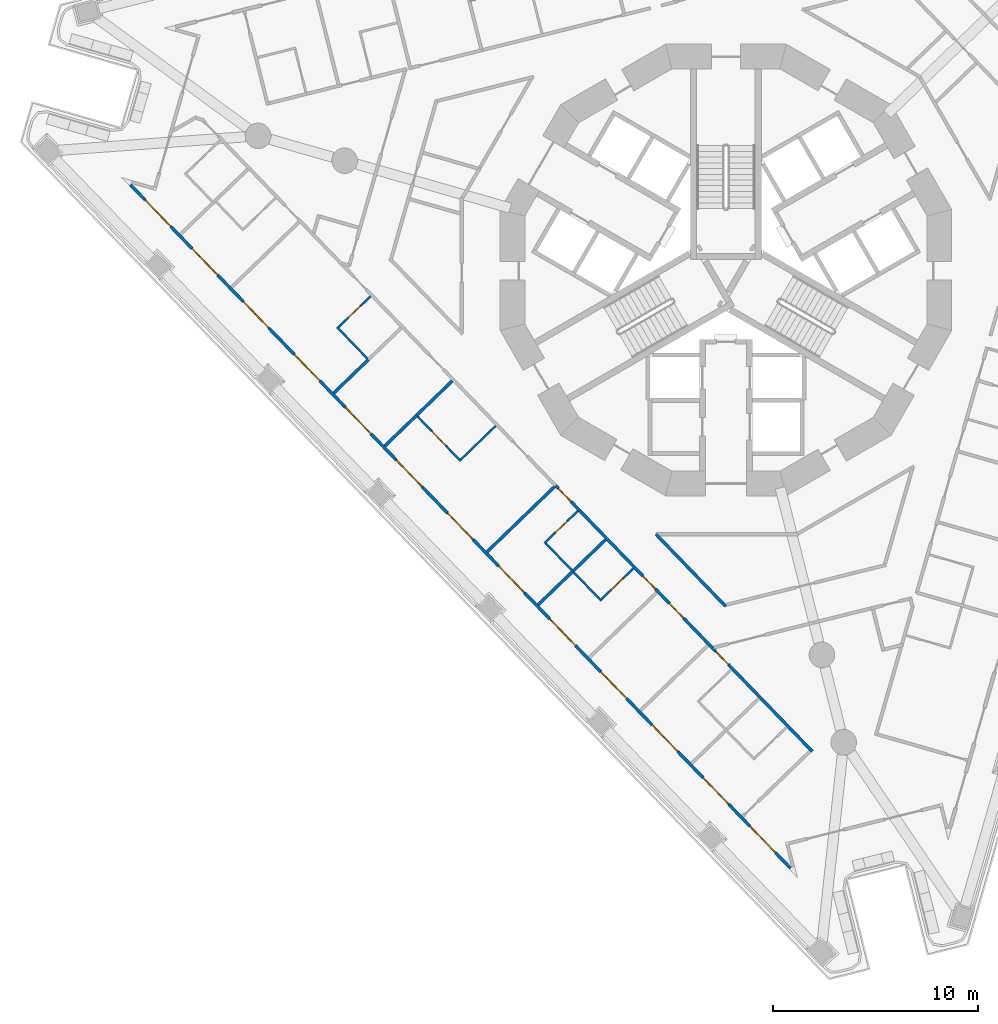
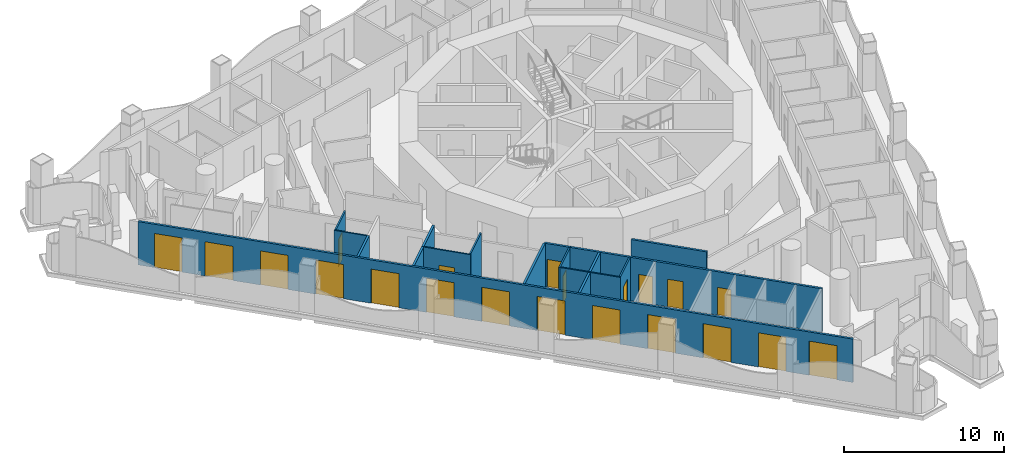
# One storey, part 2 of 19: 21 doors, 17 walls, 21 openings.
"""IFC4 building model written with IfcOpenShell, lengths in metres."""

from ifc_helpers import new_model, si_unit, direction, frame, frame_2d, origin, place, context, subcontext, project, spatial, polyline, rectangle, outline, extrude, material, layer, layer_set, type_object, element, fill, save


model = new_model("IFC4")

# Units and contexts
model_context = context("Model", 3, precision=1e-05, world=origin(), true_north=direction((0.0, 1.0)))
body_context = subcontext(model_context, "Body", "Model", "MODEL_VIEW")
ifc_project = project(units=[si_unit("LENGTHUNIT", "METRE"), si_unit("AREAUNIT", "SQUARE_METRE"), si_unit("VOLUMEUNIT", "CUBIC_METRE"), si_unit("PLANEANGLEUNIT", "RADIAN"), si_unit("MASSUNIT", "GRAM", prefix="KILO")], contexts=[model_context])

# Site, building, storey
site_placement = place(None, origin())
site = spatial("IfcSite", under=ifc_project, at=site_placement, CompositionType="ELEMENT")
building_placement = place(site_placement, origin())
building = spatial("IfcBuilding", under=site, at=building_placement, Name="Trine Commons Tower", CompositionType="ELEMENT")
storey_placement = place(building_placement, frame((0.0, 0.0, 105.300048828125)))
storey = spatial("IfcBuildingStorey", under=building, at=storey_placement, Name="L26", CompositionType="ELEMENT", Elevation=105.300048828125)

# Wall, openings, doors
ifc_material_1 = material(Name="Aluminium-framed insulated wall panel", Category="aluminium")
ifc_layer_1 = layer(ifc_material_1, 0.14990234375)
ifc_layer_set_1 = layer_set([ifc_layer_1], Name="Aluminium-framed insulated wall panel")
wall_type_1 = type_object("IfcWallType", Name="Glazed frame wall 150, EI 60", PredefinedType="SOLIDWALL", material=ifc_layer_set_1)
wall_1_placement = place(storey_placement, frame((83.25048828125, 33.21630859375, 0.0), z_axis=(0.0, 0.0, 1.0), x_axis=(-0.69466017463, 0.719338058067, 0.0)))
wall_1 = element("IfcWall", 1, at=wall_1_placement, inside=storey, type_object=wall_type_1, Name="Glazed frame wall F3", PredefinedType="SOLIDWALL", context=body_context, shape_type="SweptSolid", body=[
    extrude(outline(polyline([(0.1494140625, 0.074951171875), (0.1494140625, -0.074951171875), (46.496826171875, -0.074951171875), (46.496826171875, 0.074951171875), (0.1494140625, 0.074951171875)])), origin(), (0.0, 0.0, 1.0), 3.300048828125),
])
opening_1_placement = place(wall_1_placement, frame((1.194091796875, 0.0, 0.0)))
opening_1 = element("IfcOpeningElement", 2, at=opening_1_placement, cuts=wall_1, Name="Opening BD-3F3-01", PredefinedType="OPENING", context=body_context, shape_type="SweptSolid", body=[
    extrude(rectangle(XDim=1.800048828125, YDim=2.60009765625, at=frame_2d((0.89990234375, 1.300048828125))), frame((0.0, 0.0849609375, 0.0), z_axis=(0.0, -1.0, 0.0), x_axis=(1.0, 0.0, 0.0)), (0.0, 0.0, 1.0), 0.169921875),
])
opening_2_placement = place(wall_1_placement, frame((4.482421875, 0.0, 0.0)))
opening_2 = element("IfcOpeningElement", 3, at=opening_2_placement, cuts=wall_1, Name="Opening BD-3F3-02", PredefinedType="OPENING", context=body_context, shape_type="SweptSolid", body=[
    extrude(rectangle(XDim=1.800048828125, YDim=2.60009765625, at=frame_2d((0.89990234375, 1.300048828125))), frame((0.0, 0.0849609375, 0.0), z_axis=(0.0, -1.0, 0.0), x_axis=(1.0, 0.0, 0.0)), (0.0, 0.0, 1.0), 0.169921875),
])
opening_3_placement = place(wall_1_placement, frame((8.070556640625, 0.0, 0.0)))
opening_3 = element("IfcOpeningElement", 4, at=opening_3_placement, cuts=wall_1, Name="Opening BD-3F3-03", PredefinedType="OPENING", context=body_context, shape_type="SweptSolid", body=[
    extrude(rectangle(XDim=1.800048828125, YDim=2.60009765625, at=frame_2d((0.89990234375, 1.300048828125))), frame((0.0, 0.0849609375, 0.0), z_axis=(0.0, -1.0, 0.0), x_axis=(1.0, 0.0, 0.0)), (0.0, 0.0, 1.0), 0.169921875),
])
opening_4_placement = place(wall_1_placement, frame((11.65869140625, 0.0, 0.0)))
opening_4 = element("IfcOpeningElement", 5, at=opening_4_placement, cuts=wall_1, Name="Opening BD-3F3-04", PredefinedType="OPENING", context=body_context, shape_type="SweptSolid", body=[
    extrude(rectangle(XDim=1.800048828125, YDim=2.60009765625, at=frame_2d((0.89990234375, 1.300048828125))), frame((0.0, 0.0849609375, 0.0), z_axis=(0.0, -1.0, 0.0), x_axis=(1.0, 0.0, 0.0)), (0.0, 0.0, 1.0), 0.169921875),
])
opening_5_placement = place(wall_1_placement, frame((15.246826171875, 0.0, 0.0)))
opening_5 = element("IfcOpeningElement", 6, at=opening_5_placement, cuts=wall_1, Name="Opening BD-3F3-05", PredefinedType="OPENING", context=body_context, shape_type="SweptSolid", body=[
    extrude(rectangle(XDim=1.800048828125, YDim=2.60009765625, at=frame_2d((0.89990234375, 1.300048828125))), frame((0.0, 0.0849609375, 0.0), z_axis=(0.0, -1.0, 0.0), x_axis=(1.0, 0.0, 0.0)), (0.0, 0.0, 1.0), 0.169921875),
])
opening_6_placement = place(wall_1_placement, frame((18.835205078125, 0.0, 0.0)))
opening_6 = element("IfcOpeningElement", 7, at=opening_6_placement, cuts=wall_1, Name="Opening BD-3F3-06", PredefinedType="OPENING", context=body_context, shape_type="SweptSolid", body=[
    extrude(rectangle(XDim=1.800048828125, YDim=2.60009765625, at=frame_2d((0.89990234375, 1.300048828125))), frame((0.0, 0.0849609375, 0.0), z_axis=(0.0, -1.0, 0.0), x_axis=(1.0, 0.0, 0.0)), (0.0, 0.0, 1.0), 0.169921875),
])
opening_7_placement = place(wall_1_placement, frame((22.42333984375, 0.0, 0.0)))
opening_7 = element("IfcOpeningElement", 8, at=opening_7_placement, cuts=wall_1, Name="Opening BD-3F3-07", PredefinedType="OPENING", context=body_context, shape_type="SweptSolid", body=[
    extrude(rectangle(XDim=1.800048828125, YDim=2.60009765625, at=frame_2d((0.89990234375, 1.300048828125))), frame((0.0, 0.0849609375, 0.0), z_axis=(0.0, -1.0, 0.0), x_axis=(1.0, 0.0, 0.0)), (0.0, 0.0, 1.0), 0.169921875),
])
opening_8_placement = place(wall_1_placement, frame((26.011474609375, 0.0, 0.0)))
opening_8 = element("IfcOpeningElement", 9, at=opening_8_placement, cuts=wall_1, Name="Opening BD-3F3-08", PredefinedType="OPENING", context=body_context, shape_type="SweptSolid", body=[
    extrude(rectangle(XDim=1.800048828125, YDim=2.60009765625, at=frame_2d((0.89990234375, 1.300048828125))), frame((0.0, 0.0849609375, 0.0), z_axis=(0.0, -1.0, 0.0), x_axis=(1.0, 0.0, 0.0)), (0.0, 0.0, 1.0), 0.169921875),
])
opening_9_placement = place(wall_1_placement, frame((29.599609375, 0.0, 0.0)))
opening_9 = element("IfcOpeningElement", 10, at=opening_9_placement, cuts=wall_1, Name="Opening BD-3F3-09", PredefinedType="OPENING", context=body_context, shape_type="SweptSolid", body=[
    extrude(rectangle(XDim=1.800048828125, YDim=2.60009765625, at=frame_2d((0.89990234375, 1.300048828125))), frame((0.0, 0.0849609375, 0.0), z_axis=(0.0, -1.0, 0.0), x_axis=(1.0, 0.0, 0.0)), (0.0, 0.0, 1.0), 0.169921875),
])
opening_10_placement = place(wall_1_placement, frame((33.18798828125, 0.0, 0.0)))
opening_10 = element("IfcOpeningElement", 11, at=opening_10_placement, cuts=wall_1, Name="Opening BD-3F3-10", PredefinedType="OPENING", context=body_context, shape_type="SweptSolid", body=[
    extrude(rectangle(XDim=1.800048828125, YDim=2.60009765625, at=frame_2d((0.89990234375, 1.300048828125))), frame((0.0, 0.0849609375, 0.0), z_axis=(0.0, -1.0, 0.0), x_axis=(1.0, 0.0, 0.0)), (0.0, 0.0, 1.0), 0.169921875),
])
opening_11_placement = place(wall_1_placement, frame((36.776123046875, 0.0, 0.0)))
opening_11 = element("IfcOpeningElement", 12, at=opening_11_placement, cuts=wall_1, Name="Opening BD-3F3-11", PredefinedType="OPENING", context=body_context, shape_type="SweptSolid", body=[
    extrude(rectangle(XDim=1.800048828125, YDim=2.60009765625, at=frame_2d((0.89990234375, 1.300048828125))), frame((0.0, 0.0849609375, 0.0), z_axis=(0.0, -1.0, 0.0), x_axis=(1.0, 0.0, 0.0)), (0.0, 0.0, 1.0), 0.169921875),
])
opening_12_placement = place(wall_1_placement, frame((40.3642578125, 0.0, 0.0)))
opening_12 = element("IfcOpeningElement", 13, at=opening_12_placement, cuts=wall_1, Name="Opening BD-3F3-12", PredefinedType="OPENING", context=body_context, shape_type="SweptSolid", body=[
    extrude(rectangle(XDim=1.800048828125, YDim=2.60009765625, at=frame_2d((0.89990234375, 1.300048828125))), frame((0.0, 0.0849609375, 0.0), z_axis=(0.0, -1.0, 0.0), x_axis=(1.0, 0.0, 0.0)), (0.0, 0.0, 1.0), 0.169921875),
])
opening_13_placement = place(wall_1_placement, frame((43.652587890625, 0.0, 0.0)))
opening_13 = element("IfcOpeningElement", 14, at=opening_13_placement, cuts=wall_1, Name="Opening BD-3F3-13", PredefinedType="OPENING", context=body_context, shape_type="SweptSolid", body=[
    extrude(rectangle(XDim=1.800048828125, YDim=2.60009765625, at=frame_2d((0.89990234375, 1.300048828125))), frame((0.0, 0.0849609375, 0.0), z_axis=(0.0, -1.0, 0.0), x_axis=(1.0, 0.0, 0.0)), (0.0, 0.0, 1.0), 0.169921875),
])
ifc_material_2 = material(Name="Anodised aluminium frame with double glazing", Category="aluminium")
door_type_1 = type_object("IfcDoorType", Name="Sliding loggia door 1800x2600", OperationType="SLIDING_TO_LEFT", PredefinedType="DOOR", material=ifc_material_2)
door_1_placement = place(opening_1_placement, origin())
door_1 = element("IfcDoor", 15, at=door_1_placement, inside=storey, type_object=door_type_1, Name="Loggia door F3 1", OperationType="SLIDING_TO_LEFT", OverallHeight=2.60009765625, OverallWidth=1.800048828125, PredefinedType="DOOR", context=body_context, shape_type="SweptSolid", body=[
    extrude(rectangle(XDim=1.800048828125, YDim=2.60009765625, at=frame_2d((0.89990234375, 1.300048828125))), frame((0.0, 0.02490234375, 0.0), z_axis=(0.0, -1.0, 0.0), x_axis=(1.0, 0.0, 0.0)), (0.0, 0.0, 1.0), 0.050048828125),
])
fill(opening_1, door_1)
door_2_placement = place(opening_2_placement, origin())
door_2 = element("IfcDoor", 16, at=door_2_placement, inside=storey, type_object=door_type_1, Name="Loggia door F3 2", OperationType="SLIDING_TO_LEFT", OverallHeight=2.60009765625, OverallWidth=1.800048828125, PredefinedType="DOOR", context=body_context, shape_type="SweptSolid", body=[
    extrude(rectangle(XDim=1.800048828125, YDim=2.60009765625, at=frame_2d((0.89990234375, 1.300048828125))), frame((0.0, 0.02490234375, 0.0), z_axis=(0.0, -1.0, 0.0), x_axis=(1.0, 0.0, 0.0)), (0.0, 0.0, 1.0), 0.050048828125),
])
fill(opening_2, door_2)
door_3_placement = place(opening_3_placement, origin())
door_3 = element("IfcDoor", 17, at=door_3_placement, inside=storey, type_object=door_type_1, Name="Loggia door F3 3", OperationType="SLIDING_TO_LEFT", OverallHeight=2.60009765625, OverallWidth=1.800048828125, PredefinedType="DOOR", context=body_context, shape_type="SweptSolid", body=[
    extrude(rectangle(XDim=1.800048828125, YDim=2.60009765625, at=frame_2d((0.89990234375, 1.300048828125))), frame((0.0, 0.02490234375, 0.0), z_axis=(0.0, -1.0, 0.0), x_axis=(1.0, 0.0, 0.0)), (0.0, 0.0, 1.0), 0.050048828125),
])
fill(opening_3, door_3)
door_4_placement = place(opening_4_placement, origin())
door_4 = element("IfcDoor", 18, at=door_4_placement, inside=storey, type_object=door_type_1, Name="Loggia door F3 4", OperationType="SLIDING_TO_LEFT", OverallHeight=2.60009765625, OverallWidth=1.800048828125, PredefinedType="DOOR", context=body_context, shape_type="SweptSolid", body=[
    extrude(rectangle(XDim=1.800048828125, YDim=2.60009765625, at=frame_2d((0.89990234375, 1.300048828125))), frame((0.0, 0.02490234375, 0.0), z_axis=(0.0, -1.0, 0.0), x_axis=(1.0, 0.0, 0.0)), (0.0, 0.0, 1.0), 0.050048828125),
])
fill(opening_4, door_4)
door_5_placement = place(opening_5_placement, origin())
door_5 = element("IfcDoor", 19, at=door_5_placement, inside=storey, type_object=door_type_1, Name="Loggia door F3 5", OperationType="SLIDING_TO_LEFT", OverallHeight=2.60009765625, OverallWidth=1.800048828125, PredefinedType="DOOR", context=body_context, shape_type="SweptSolid", body=[
    extrude(rectangle(XDim=1.800048828125, YDim=2.60009765625, at=frame_2d((0.89990234375, 1.300048828125))), frame((0.0, 0.02490234375, 0.0), z_axis=(0.0, -1.0, 0.0), x_axis=(1.0, 0.0, 0.0)), (0.0, 0.0, 1.0), 0.050048828125),
])
fill(opening_5, door_5)
door_6_placement = place(opening_6_placement, origin())
door_6 = element("IfcDoor", 20, at=door_6_placement, inside=storey, type_object=door_type_1, Name="Loggia door F3 6", OperationType="SLIDING_TO_LEFT", OverallHeight=2.60009765625, OverallWidth=1.800048828125, PredefinedType="DOOR", context=body_context, shape_type="SweptSolid", body=[
    extrude(rectangle(XDim=1.800048828125, YDim=2.60009765625, at=frame_2d((0.89990234375, 1.300048828125))), frame((0.0, 0.02490234375, 0.0), z_axis=(0.0, -1.0, 0.0), x_axis=(1.0, 0.0, 0.0)), (0.0, 0.0, 1.0), 0.050048828125),
])
fill(opening_6, door_6)
door_7_placement = place(opening_7_placement, origin())
door_7 = element("IfcDoor", 21, at=door_7_placement, inside=storey, type_object=door_type_1, Name="Loggia door F3 7", OperationType="SLIDING_TO_LEFT", OverallHeight=2.60009765625, OverallWidth=1.800048828125, PredefinedType="DOOR", context=body_context, shape_type="SweptSolid", body=[
    extrude(rectangle(XDim=1.800048828125, YDim=2.60009765625, at=frame_2d((0.89990234375, 1.300048828125))), frame((0.0, 0.02490234375, 0.0), z_axis=(0.0, -1.0, 0.0), x_axis=(1.0, 0.0, 0.0)), (0.0, 0.0, 1.0), 0.050048828125),
])
fill(opening_7, door_7)
door_8_placement = place(opening_8_placement, origin())
door_8 = element("IfcDoor", 22, at=door_8_placement, inside=storey, type_object=door_type_1, Name="Loggia door F3 8", OperationType="SLIDING_TO_LEFT", OverallHeight=2.60009765625, OverallWidth=1.800048828125, PredefinedType="DOOR", context=body_context, shape_type="SweptSolid", body=[
    extrude(rectangle(XDim=1.800048828125, YDim=2.60009765625, at=frame_2d((0.89990234375, 1.300048828125))), frame((0.0, 0.02490234375, 0.0), z_axis=(0.0, -1.0, 0.0), x_axis=(1.0, 0.0, 0.0)), (0.0, 0.0, 1.0), 0.050048828125),
])
fill(opening_8, door_8)
door_9_placement = place(opening_9_placement, origin())
door_9 = element("IfcDoor", 23, at=door_9_placement, inside=storey, type_object=door_type_1, Name="Loggia door F3 9", OperationType="SLIDING_TO_LEFT", OverallHeight=2.60009765625, OverallWidth=1.800048828125, PredefinedType="DOOR", context=body_context, shape_type="SweptSolid", body=[
    extrude(rectangle(XDim=1.800048828125, YDim=2.60009765625, at=frame_2d((0.89990234375, 1.300048828125))), frame((0.0, 0.02490234375, 0.0), z_axis=(0.0, -1.0, 0.0), x_axis=(1.0, 0.0, 0.0)), (0.0, 0.0, 1.0), 0.050048828125),
])
fill(opening_9, door_9)
door_10_placement = place(opening_10_placement, origin())
door_10 = element("IfcDoor", 24, at=door_10_placement, inside=storey, type_object=door_type_1, Name="Loggia door F3 10", OperationType="SLIDING_TO_LEFT", OverallHeight=2.60009765625, OverallWidth=1.800048828125, PredefinedType="DOOR", context=body_context, shape_type="SweptSolid", body=[
    extrude(rectangle(XDim=1.800048828125, YDim=2.60009765625, at=frame_2d((0.89990234375, 1.300048828125))), frame((0.0, 0.02490234375, 0.0), z_axis=(0.0, -1.0, 0.0), x_axis=(1.0, 0.0, 0.0)), (0.0, 0.0, 1.0), 0.050048828125),
])
fill(opening_10, door_10)
door_11_placement = place(opening_11_placement, origin())
door_11 = element("IfcDoor", 25, at=door_11_placement, inside=storey, type_object=door_type_1, Name="Loggia door F3 11", OperationType="SLIDING_TO_LEFT", OverallHeight=2.60009765625, OverallWidth=1.800048828125, PredefinedType="DOOR", context=body_context, shape_type="SweptSolid", body=[
    extrude(rectangle(XDim=1.800048828125, YDim=2.60009765625, at=frame_2d((0.89990234375, 1.300048828125))), frame((0.0, 0.02490234375, 0.0), z_axis=(0.0, -1.0, 0.0), x_axis=(1.0, 0.0, 0.0)), (0.0, 0.0, 1.0), 0.050048828125),
])
fill(opening_11, door_11)
door_12_placement = place(opening_12_placement, origin())
door_12 = element("IfcDoor", 26, at=door_12_placement, inside=storey, type_object=door_type_1, Name="Loggia door F3 12", OperationType="SLIDING_TO_LEFT", OverallHeight=2.60009765625, OverallWidth=1.800048828125, PredefinedType="DOOR", context=body_context, shape_type="SweptSolid", body=[
    extrude(rectangle(XDim=1.800048828125, YDim=2.60009765625, at=frame_2d((0.89990234375, 1.300048828125))), frame((0.0, 0.02490234375, 0.0), z_axis=(0.0, -1.0, 0.0), x_axis=(1.0, 0.0, 0.0)), (0.0, 0.0, 1.0), 0.050048828125),
])
fill(opening_12, door_12)
door_13_placement = place(opening_13_placement, origin())
door_13 = element("IfcDoor", 27, at=door_13_placement, inside=storey, type_object=door_type_1, Name="Loggia door F3 13", OperationType="SLIDING_TO_LEFT", OverallHeight=2.60009765625, OverallWidth=1.800048828125, PredefinedType="DOOR", context=body_context, shape_type="SweptSolid", body=[
    extrude(rectangle(XDim=1.800048828125, YDim=2.60009765625, at=frame_2d((0.89990234375, 1.300048828125))), frame((0.0, 0.02490234375, 0.0), z_axis=(0.0, -1.0, 0.0), x_axis=(1.0, 0.0, 0.0)), (0.0, 0.0, 1.0), 0.050048828125),
])
fill(opening_13, door_13)

# Walls
ifc_material_3 = material(Name="Gypsum plasterboard on steel stud", Category="steel")
ifc_layer_2 = layer(ifc_material_3, 0.14990234375)
ifc_layer_set_2 = layer_set([ifc_layer_2], Name="Gypsum plasterboard on steel stud")
wall_type_2 = type_object("IfcWallType", Name="Unit and corridor wall 150 mm, EI 60", PredefinedType="PARTITIONING", material=ifc_layer_set_2)
wall_2_placement = place(storey_placement, frame((60.871826171875, 56.498779296875, 0.0), z_axis=(0.0, 0.0, 1.0), x_axis=(0.719512417317, 0.694479575889, 0.0)))
element("IfcWall", 28, at=wall_2_placement, inside=storey, type_object=wall_type_2, Name="Partition 019", PredefinedType="PARTITIONING", context=body_context, shape_type="SweptSolid", body=[
    extrude(rectangle(XDim=2.350341796875, YDim=0.14990234375, at=frame_2d((1.17529296875, 0.0))), origin(), (0.0, 0.0, 1.0), 3.300048828125),
])
wall_3_placement = place(storey_placement, frame((63.36376953125, 53.917724609375, 0.0), z_axis=(0.0, 0.0, 1.0), x_axis=(0.71955816268, 0.694432178488, 0.0)))
element("IfcWall", 29, at=wall_3_placement, inside=storey, type_object=wall_type_2, Name="Partition 028", PredefinedType="PARTITIONING", context=body_context, shape_type="SweptSolid", body=[
    extrude(rectangle(XDim=2.1474609375, YDim=0.14990234375, at=frame_2d((1.07373046875, 0.0))), origin(), (0.0, 0.0, 1.0), 3.300048828125),
])
wall_4_placement = place(storey_placement, frame((64.908935546875, 55.408935546875, 0.0), z_axis=(0.0, 0.0, 1.0), x_axis=(0.719182863788, 0.694820846286, 0.0)))
element("IfcWall", 30, at=wall_4_placement, inside=storey, type_object=wall_type_2, Name="Partition 035", PredefinedType="PARTITIONING", context=body_context, shape_type="SweptSolid", body=[
    extrude(rectangle(XDim=2.425048828125, YDim=0.14990234375, at=frame_2d((1.21240234375, 0.0))), origin(), (0.0, 0.0, 1.0), 3.300048828125),
])
wall_5_placement = place(storey_placement, frame((68.348876953125, 48.7548828125, 0.0), z_axis=(0.0, 0.0, 1.0), x_axis=(0.719356389488, 0.694641191482, 0.0)))
element("IfcWall", 31, at=wall_5_placement, inside=storey, type_object=wall_type_2, Name="Partition 046", PredefinedType="PARTITIONING", context=body_context, shape_type="SweptSolid", body=[
    extrude(rectangle(XDim=4.573486328125, YDim=0.14990234375, at=frame_2d((2.28662109375, 0.0))), origin(), (0.0, 0.0, 1.0), 3.300048828125),
])
wall_6_placement = place(storey_placement, frame((70.841796875, 46.173828125, 0.0), z_axis=(0.0, 0.0, 1.0), x_axis=(0.71937400428, 0.694622949496, 0.0)))
element("IfcWall", 32, at=wall_6_placement, inside=storey, type_object=wall_type_2, Name="Partition 048", PredefinedType="PARTITIONING", context=body_context, shape_type="SweptSolid", body=[
    extrude(rectangle(XDim=2.29833984375, YDim=0.14990234375, at=frame_2d((1.149169921875, 0.0))), origin(), (0.0, 0.0, 1.0), 3.300048828125),
])

# Wall, opening, door
wall_7_placement = place(storey_placement, frame((71.68896484375, 51.986083984375, 0.0), z_axis=(0.0, 0.0, 1.0), x_axis=(0.695212932068, -0.718803852999, 0.0)))
wall_7 = element("IfcWall", 33, at=wall_7_placement, inside=storey, type_object=wall_type_2, Name="Partition 051", PredefinedType="PARTITIONING", context=body_context, shape_type="SweptSolid", body=[
    extrude(rectangle(XDim=1.697265625, YDim=0.14990234375, at=frame_2d((0.8486328125, 0.0))), origin(), (0.0, 0.0, 1.0), 3.300048828125),
])
opening_14_placement = place(wall_7_placement, frame((0.197998046875, 0.0, 0.0)))
opening_14 = element("IfcOpeningElement", 34, at=opening_14_placement, cuts=wall_7, Name="Opening D-3B30", PredefinedType="OPENING", context=body_context, shape_type="SweptSolid", body=[
    extrude(rectangle(XDim=0.89990234375, YDim=2.10009765625, at=frame_2d((0.449951171875, 1.050048828125))), frame((0.0, 0.0849609375, 0.0), z_axis=(0.0, -1.0, 0.0), x_axis=(1.0, 0.0, 0.0)), (0.0, 0.0, 1.0), 0.169921875),
])
ifc_material_4 = material(Name="Timber fire door set", Category="wood")
door_type_2 = type_object("IfcDoorType", Name="Bedroom door 900 x 2100, FD30S", OperationType="NOTDEFINED", PredefinedType="DOOR", material=ifc_material_4)
door_14_placement = place(opening_14_placement, frame((0.89990234375, 0.0, 0.0), z_axis=(0.0, 0.0, 1.0), x_axis=(-1.0, 0.0, 0.0)))
door_14 = element("IfcDoor", 35, at=door_14_placement, inside=storey, type_object=door_type_2, Name="Door D-3B30", OperationType="SINGLE_SWING_RIGHT", OverallHeight=2.10009765625, OverallWidth=0.89990234375, PredefinedType="DOOR", context=body_context, shape_type="SweptSolid", body=[
    extrude(rectangle(XDim=0.89990234375, YDim=2.10009765625, at=frame_2d((0.449951171875, 1.050048828125))), frame((0.0, 0.02490234375, 0.0), z_axis=(0.0, -1.0, 0.0), x_axis=(1.0, 0.0, 0.0)), (0.0, 0.0, 1.0), 0.050048828125),
])
fill(opening_14, door_14)

# Wall
wall_8_placement = place(storey_placement, frame((72.56689453125, 47.839599609375, 0.0), z_axis=(0.0, 0.0, 1.0), x_axis=(0.71918093231, 0.694822845481, 0.0)))
element("IfcWall", 36, at=wall_8_placement, inside=storey, type_object=wall_type_2, Name="Partition 052", PredefinedType="PARTITIONING", context=body_context, shape_type="SweptSolid", body=[
    extrude(rectangle(XDim=2.175048828125, YDim=0.14990234375, at=frame_2d((1.08740234375, 0.0))), origin(), (0.0, 0.0, 1.0), 3.300048828125),
])

# Wall, openings, doors
wall_9_placement = place(storey_placement, frame((72.827880859375, 50.80810546875, 0.0), z_axis=(0.0, 0.0, 1.0), x_axis=(0.694636269786, -0.719361142055, 0.0)))
wall_9 = element("IfcWall", 37, at=wall_9_placement, inside=storey, type_object=wall_type_2, Name="Partition 053", PredefinedType="PARTITIONING", context=body_context, shape_type="SweptSolid", body=[
    extrude(rectangle(XDim=16.38134765625, YDim=0.14990234375, at=frame_2d((8.190673828125, 0.0))), origin(), (0.0, 0.0, 1.0), 3.300048828125),
])
opening_15_placement = place(wall_9_placement, frame((9.59619140625, 0.0, 0.0)))
opening_15 = element("IfcOpeningElement", 38, at=opening_15_placement, cuts=wall_9, Name="Opening D-3B27", PredefinedType="OPENING", context=body_context, shape_type="SweptSolid", body=[
    extrude(rectangle(XDim=0.89990234375, YDim=2.10009765625, at=frame_2d((0.449951171875, 1.050048828125))), frame((0.0, 0.0849609375, 0.0), z_axis=(0.0, -1.0, 0.0), x_axis=(1.0, 0.0, 0.0)), (0.0, 0.0, 1.0), 0.169921875),
])
opening_16_placement = place(wall_9_placement, frame((6.3583984375, 0.0, 0.0)))
opening_16 = element("IfcOpeningElement", 39, at=opening_16_placement, cuts=wall_9, Name="Opening D-3B28", PredefinedType="OPENING", context=body_context, shape_type="SweptSolid", body=[
    extrude(rectangle(XDim=1.0, YDim=2.10009765625, at=frame_2d((0.5, 1.050048828125))), frame((0.0, 0.0849609375, 0.0), z_axis=(0.0, -1.0, 0.0), x_axis=(1.0, 0.0, 0.0)), (0.0, 0.0, 1.0), 0.169921875),
])
opening_17_placement = place(wall_9_placement, frame((4.49169921875, 0.0, 0.0)))
opening_17 = element("IfcOpeningElement", 40, at=opening_17_placement, cuts=wall_9, Name="Opening D-3B29", PredefinedType="OPENING", context=body_context, shape_type="SweptSolid", body=[
    extrude(rectangle(XDim=0.89990234375, YDim=2.10009765625, at=frame_2d((0.449951171875, 1.050048828125))), frame((0.0, 0.0849609375, 0.0), z_axis=(0.0, -1.0, 0.0), x_axis=(1.0, 0.0, 0.0)), (0.0, 0.0, 1.0), 0.169921875),
])
ifc_material_5 = material(Name="Painted timber", Category="wood")
door_type_3 = type_object("IfcDoorType", Name="Amenity room door 1000 x 2100, NOT RATED", OperationType="NOTDEFINED", PredefinedType="DOOR", material=ifc_material_5)
door_15_placement = place(opening_16_placement, frame((1.0, 0.0, 0.0), z_axis=(0.0, 0.0, 1.0), x_axis=(-1.0, 0.0, 0.0)))
door_15 = element("IfcDoor", 41, at=door_15_placement, inside=storey, type_object=door_type_3, Name="Door D-3B28", OperationType="SINGLE_SWING_RIGHT", OverallHeight=2.10009765625, OverallWidth=1.0, PredefinedType="DOOR", context=body_context, shape_type="SweptSolid", body=[
    extrude(rectangle(XDim=1.0, YDim=2.10009765625, at=frame_2d((0.5, 1.050048828125))), frame((0.0, 0.02490234375, 0.0), z_axis=(0.0, -1.0, 0.0), x_axis=(1.0, 0.0, 0.0)), (0.0, 0.0, 1.0), 0.050048828125),
])
fill(opening_16, door_15)
door_16_placement = place(opening_15_placement, frame((0.89990234375, 0.0, 0.0), z_axis=(0.0, 0.0, 1.0), x_axis=(-1.0, 0.0, 0.0)))
door_16 = element("IfcDoor", 42, at=door_16_placement, inside=storey, type_object=door_type_2, Name="Door D-3B27", OperationType="SINGLE_SWING_LEFT", OverallHeight=2.10009765625, OverallWidth=0.89990234375, PredefinedType="DOOR", context=body_context, shape_type="SweptSolid", body=[
    extrude(rectangle(XDim=0.89990234375, YDim=2.10009765625, at=frame_2d((0.449951171875, 1.050048828125))), frame((0.0, 0.02490234375, 0.0), z_axis=(0.0, -1.0, 0.0), x_axis=(1.0, 0.0, 0.0)), (0.0, 0.0, 1.0), 0.050048828125),
])
fill(opening_15, door_16)
door_17_placement = place(opening_17_placement, frame((0.89990234375, 0.0, 0.0), z_axis=(0.0, 0.0, 1.0), x_axis=(-1.0, 0.0, 0.0)))
door_17 = element("IfcDoor", 43, at=door_17_placement, inside=storey, type_object=door_type_2, Name="Door D-3B29", OperationType="SINGLE_SWING_RIGHT", OverallHeight=2.10009765625, OverallWidth=0.89990234375, PredefinedType="DOOR", context=body_context, shape_type="SweptSolid", body=[
    extrude(rectangle(XDim=0.89990234375, YDim=2.10009765625, at=frame_2d((0.449951171875, 1.050048828125))), frame((0.0, 0.02490234375, 0.0), z_axis=(0.0, -1.0, 0.0), x_axis=(1.0, 0.0, 0.0)), (0.0, 0.0, 1.0), 0.050048828125),
])
fill(opening_17, door_17)

# Walls
wall_10_placement = place(storey_placement, frame((76.587890625, 49.613037109375, 0.0), z_axis=(0.0, 0.0, 1.0), x_axis=(0.694768247914, -0.719233676694, 0.0)))
element("IfcWall", 44, at=wall_10_placement, inside=storey, type_object=wall_type_2, Name="Partition 061", PredefinedType="PARTITIONING", context=body_context, shape_type="SweptSolid", body=[
    extrude(rectangle(XDim=4.8896484375, YDim=0.14990234375, at=frame_2d((2.44482421875, 0.0))), origin(), (0.0, 0.0, 1.0), 3.300048828125),
])
ifc_layer_3 = layer(ifc_material_3, 0.10009765625)
ifc_layer_set_3 = layer_set([ifc_layer_3], Name="Gypsum plasterboard on steel stud")
wall_type_3 = type_object("IfcWallType", Name="Unit partition 100 mm, no rating", PredefinedType="PARTITIONING", material=ifc_layer_set_3)
wall_11_placement = place(storey_placement, frame((61.0322265625, 59.7119140625, 0.0), z_axis=(0.0, 0.0, 1.0), x_axis=(0.694471469345, -0.719520241734, 0.0)))
element("IfcWall", 45, at=wall_11_placement, inside=storey, type_object=wall_type_3, Name="Partition 020", PredefinedType="PARTITIONING", context=body_context, shape_type="SweptSolid", body=[
    extrude(rectangle(XDim=2.124755859375, YDim=0.10009765625, at=frame_2d((1.0625, 0.0))), origin(), (0.0, 0.0, 1.0), 3.300048828125),
])

# Wall, opening, door
wall_12_placement = place(storey_placement, frame((61.10302734375, 59.710693359375, 0.0), z_axis=(0.0, 0.0, 1.0), x_axis=(0.719126734191, 0.69487893922, 0.0)))
wall_12 = element("IfcWall", 46, at=wall_12_placement, inside=storey, type_object=wall_type_3, Name="Partition 021", PredefinedType="PARTITIONING", context=body_context, shape_type="SweptSolid", body=[
    extrude(rectangle(XDim=2.1748046875, YDim=0.10009765625, at=frame_2d((1.08740234375, 0.0))), origin(), (0.0, 0.0, 1.0), 3.300048828125),
])
opening_18_placement = place(wall_12_placement, frame((0.6875, 0.0, 0.0)))
opening_18 = element("IfcOpeningElement", 47, at=opening_18_placement, cuts=wall_12, Name="Opening D-3B63", PredefinedType="OPENING", context=body_context, shape_type="SweptSolid", body=[
    extrude(rectangle(XDim=0.800048828125, YDim=2.10009765625, at=frame_2d((0.39990234375, 1.050048828125))), frame((0.0, 0.06005859375, 0.0), z_axis=(0.0, -1.0, 0.0), x_axis=(1.0, 0.0, 0.0)), (0.0, 0.0, 1.0), 0.1201171875),
])
door_type_4 = type_object("IfcDoorType", Name="Internal door 800 x 2100, NOT RATED", OperationType="NOTDEFINED", PredefinedType="DOOR", material=ifc_material_5)
door_18_placement = place(opening_18_placement, origin())
door_18 = element("IfcDoor", 48, at=door_18_placement, inside=storey, type_object=door_type_4, Name="Door D-3B63", OperationType="SINGLE_SWING_LEFT", OverallHeight=2.10009765625, OverallWidth=0.800048828125, PredefinedType="DOOR", context=body_context, shape_type="SweptSolid", body=[
    extrude(rectangle(XDim=0.800048828125, YDim=2.10009765625, at=frame_2d((0.39990234375, 1.050048828125))), frame((0.0, 0.02490234375, 0.0), z_axis=(0.0, -1.0, 0.0), x_axis=(1.0, 0.0, 0.0)), (0.0, 0.0, 1.0), 0.050048828125),
])
fill(opening_18, door_18)

wall_13_placement = place(storey_placement, frame((64.961181640625, 55.35498046875, 0.0), z_axis=(0.0, 0.0, 1.0), x_axis=(0.694692443601, -0.719306894728, 0.0)))
wall_13 = element("IfcWall", 49, at=wall_13_placement, inside=storey, type_object=wall_type_3, Name="Partition 036", PredefinedType="PARTITIONING", context=body_context, shape_type="SweptSolid", body=[
    extrude(rectangle(XDim=3.025146484375, YDim=0.10009765625, at=frame_2d((1.5126953125, 0.0))), origin(), (0.0, 0.0, 1.0), 3.300048828125),
])
opening_19_placement = place(wall_13_placement, frame((0.98779296875, 0.0, 0.0)))
opening_19 = element("IfcOpeningElement", 50, at=opening_19_placement, cuts=wall_13, Name="Opening D-3B62", PredefinedType="OPENING", context=body_context, shape_type="SweptSolid", body=[
    extrude(rectangle(XDim=1.0, YDim=2.10009765625, at=frame_2d((0.5, 1.050048828125))), frame((0.0, 0.06005859375, 0.0), z_axis=(0.0, -1.0, 0.0), x_axis=(1.0, 0.0, 0.0)), (0.0, 0.0, 1.0), 0.1201171875),
])
door_type_5 = type_object("IfcDoorType", Name="Internal door 1000 x 2100, NOT RATED", OperationType="NOTDEFINED", PredefinedType="DOOR", material=ifc_material_5)
door_19_placement = place(opening_19_placement, frame((1.0, 0.0, 0.0), z_axis=(0.0, 0.0, 1.0), x_axis=(-1.0, 0.0, 0.0)))
door_19 = element("IfcDoor", 51, at=door_19_placement, inside=storey, type_object=door_type_5, Name="Door D-3B62", OperationType="SINGLE_SWING_RIGHT", OverallHeight=2.10009765625, OverallWidth=1.0, PredefinedType="DOOR", context=body_context, shape_type="SweptSolid", body=[
    extrude(rectangle(XDim=1.0, YDim=2.10009765625, at=frame_2d((0.5, 1.050048828125))), frame((0.0, 0.02490234375, 0.0), z_axis=(0.0, -1.0, 0.0), x_axis=(1.0, 0.0, 0.0)), (0.0, 0.0, 1.0), 0.050048828125),
])
fill(opening_19, door_19)

# Wall
wall_14_placement = place(storey_placement, frame((67.06396484375, 53.249755859375, 0.0), z_axis=(0.0, 0.0, 1.0), x_axis=(0.719233177485, 0.694768764702, 0.0)))
element("IfcWall", 52, at=wall_14_placement, inside=storey, type_object=wall_type_3, Name="Partition 040", PredefinedType="PARTITIONING", context=body_context, shape_type="SweptSolid", body=[
    extrude(rectangle(XDim=2.375, YDim=0.10009765625, at=frame_2d((1.1875, 0.0))), origin(), (0.0, 0.0, 1.0), 3.300048828125),
])

# Wall, opening, door
wall_15_placement = place(storey_placement, frame((71.139892578125, 49.17333984375, 0.0), z_axis=(0.0, 0.0, 1.0), x_axis=(0.71965659141, 0.694330173937, 0.0)))
wall_15 = element("IfcWall", 53, at=wall_15_placement, inside=storey, type_object=wall_type_3, Name="Partition 049", PredefinedType="PARTITIONING", context=body_context, shape_type="SweptSolid", body=[
    extrude(rectangle(XDim=2.27490234375, YDim=0.10009765625, at=frame_2d((1.137451171875, 0.0))), origin(), (0.0, 0.0, 1.0), 3.300048828125),
])
opening_20_placement = place(wall_15_placement, frame((0.762451171875, 0.0, 0.0)))
opening_20 = element("IfcOpeningElement", 54, at=opening_20_placement, cuts=wall_15, Name="Opening D-3B61", PredefinedType="OPENING", context=body_context, shape_type="SweptSolid", body=[
    extrude(rectangle(XDim=0.800048828125, YDim=2.10009765625, at=frame_2d((0.39990234375, 1.050048828125))), frame((0.0, 0.06005859375, 0.0), z_axis=(0.0, -1.0, 0.0), x_axis=(1.0, 0.0, 0.0)), (0.0, 0.0, 1.0), 0.1201171875),
])
door_20_placement = place(opening_20_placement, origin())
door_20 = element("IfcDoor", 55, at=door_20_placement, inside=storey, type_object=door_type_4, Name="Door D-3B61", OperationType="SINGLE_SWING_RIGHT", OverallHeight=2.10009765625, OverallWidth=0.800048828125, PredefinedType="DOOR", context=body_context, shape_type="SweptSolid", body=[
    extrude(rectangle(XDim=0.800048828125, YDim=2.10009765625, at=frame_2d((0.39990234375, 1.050048828125))), frame((0.0, 0.02490234375, 0.0), z_axis=(0.0, -1.0, 0.0), x_axis=(1.0, 0.0, 0.0)), (0.0, 0.0, 1.0), 0.050048828125),
])
fill(opening_20, door_20)

# Wall
wall_16_placement = place(storey_placement, frame((71.210693359375, 49.172119140625, 0.0), z_axis=(0.0, 0.0, 1.0), x_axis=(0.694540892951, -0.719453228513, 0.0)))
element("IfcWall", 56, at=wall_16_placement, inside=storey, type_object=wall_type_3, Name="Partition 050", PredefinedType="PARTITIONING", context=body_context, shape_type="SweptSolid", body=[
    extrude(rectangle(XDim=3.900390625, YDim=0.10009765625, at=frame_2d((1.9501953125, 0.0))), origin(), (0.0, 0.0, 1.0), 3.300048828125),
])

# Wall, opening, door
wall_17_placement = place(storey_placement, frame((73.9208984375, 46.436767578125, 0.0), z_axis=(0.0, 0.0, 1.0), x_axis=(0.719397593573, 0.69459851883, 0.0)))
wall_17 = element("IfcWall", 57, at=wall_17_placement, inside=storey, type_object=wall_type_3, Name="Partition 055", PredefinedType="PARTITIONING", context=body_context, shape_type="SweptSolid", body=[
    extrude(rectangle(XDim=2.17578125, YDim=0.10009765625, at=frame_2d((1.087890625, 0.0))), origin(), (0.0, 0.0, 1.0), 3.300048828125),
])
opening_21_placement = place(wall_17_placement, frame((0.687744140625, 0.0, 0.0)))
opening_21 = element("IfcOpeningElement", 58, at=opening_21_placement, cuts=wall_17, Name="Opening D-3B60", PredefinedType="OPENING", context=body_context, shape_type="SweptSolid", body=[
    extrude(rectangle(XDim=0.800048828125, YDim=2.10009765625, at=frame_2d((0.39990234375, 1.050048828125))), frame((0.0, 0.06005859375, 0.0), z_axis=(0.0, -1.0, 0.0), x_axis=(1.0, 0.0, 0.0)), (0.0, 0.0, 1.0), 0.1201171875),
])
door_21_placement = place(opening_21_placement, frame((0.800048828125, 0.0, 0.0), z_axis=(0.0, 0.0, 1.0), x_axis=(-1.0, 0.0, 0.0)))
door_21 = element("IfcDoor", 59, at=door_21_placement, inside=storey, type_object=door_type_4, Name="Door D-3B60", OperationType="SINGLE_SWING_RIGHT", OverallHeight=2.10009765625, OverallWidth=0.800048828125, PredefinedType="DOOR", context=body_context, shape_type="SweptSolid", body=[
    extrude(rectangle(XDim=0.800048828125, YDim=2.10009765625, at=frame_2d((0.39990234375, 1.050048828125))), frame((0.0, 0.02490234375, 0.0), z_axis=(0.0, -1.0, 0.0), x_axis=(1.0, 0.0, 0.0)), (0.0, 0.0, 1.0), 0.050048828125),
])
fill(opening_21, door_21)

save(model, "model.ifc")
